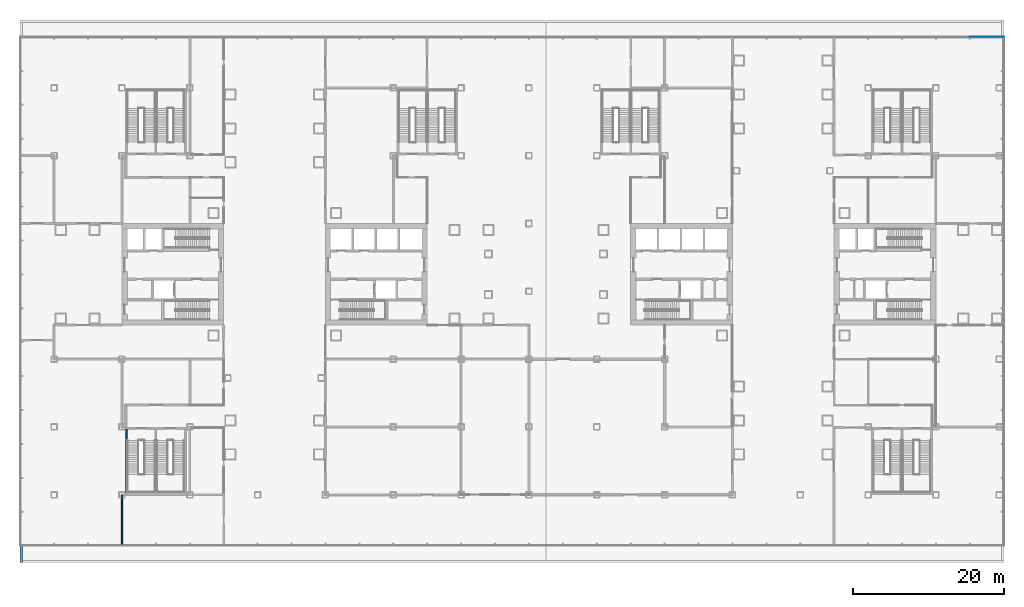
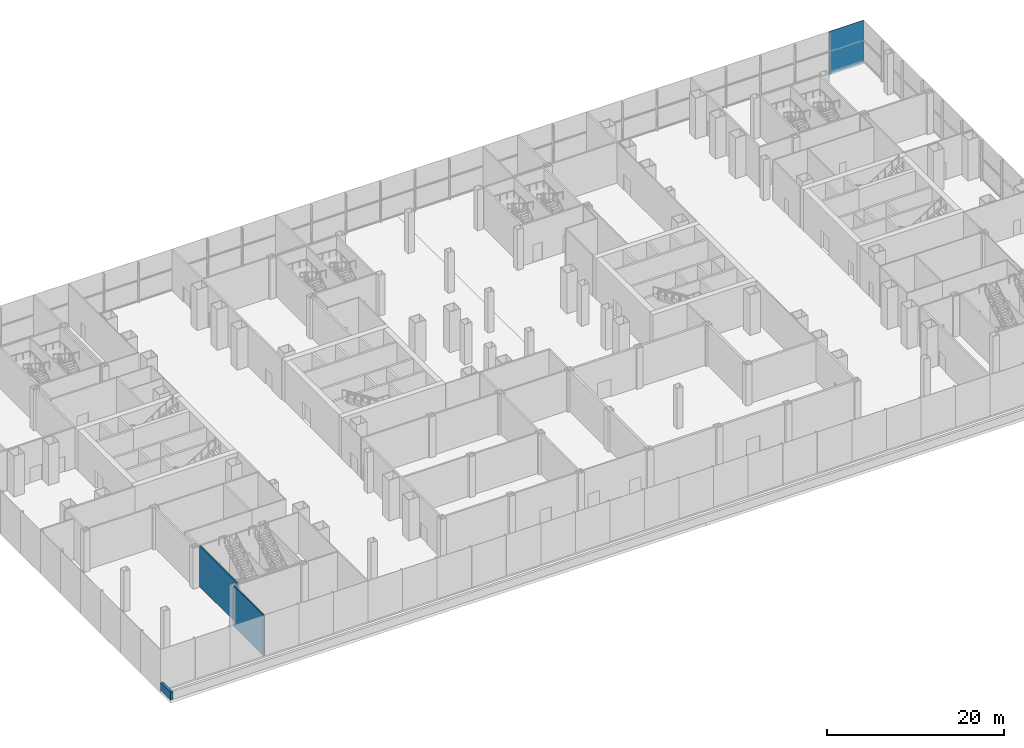
# One storey, part 21 of 38: 3 walls, 1 plate, 1 element without a shape of its own.
"""IFC4 building model written with IfcOpenShell, lengths in metres."""

from ifc_helpers import new_model, si_unit, direction, frame, frame_2d, origin, origin_2d, place, context, subcontext, project, spatial, rectangle, extrude, material, layer, layer_set, type_object, element, aggregate, save


model = new_model("IFC4")

# Units and contexts
model_context = context("Model", 3, precision=1e-05, world=origin(), true_north=direction((0.0, 1.0)))
body_context = subcontext(model_context, "Body", "Model", "MODEL_VIEW")
ifc_project = project(units=[si_unit("LENGTHUNIT", "METRE"), si_unit("AREAUNIT", "SQUARE_METRE"), si_unit("VOLUMEUNIT", "CUBIC_METRE"), si_unit("PLANEANGLEUNIT", "RADIAN"), si_unit("MASSUNIT", "GRAM", prefix="KILO")], contexts=[model_context])

# Site, building, storey
site_placement = place(None, origin())
site = spatial("IfcSite", under=ifc_project, at=site_placement, CompositionType="ELEMENT")
building_placement = place(site_placement, origin())
building = spatial("IfcBuilding", under=site, at=building_placement, Name="Shamsa Quay Exchange Towers", CompositionType="ELEMENT")
storey_placement = place(building_placement, frame((0.0, 0.0, 12.5)))
storey = spatial("IfcBuildingStorey", under=building, at=storey_placement, Name="L02", CompositionType="ELEMENT", Elevation=12.5)

# Curtain wall, plate
ifc_material_1 = material(Name="Aluminium EN AW-6063 T6, black anodised", Category="aluminium")
ifc_layer_1 = layer(ifc_material_1, 0.33203125)
ifc_layer_set_1 = layer_set([ifc_layer_1], Name="CW-3 PODIUM SHOPFRONT GLAZING")
curtain_wall_type = type_object("IfcCurtainWallType", Name="CW-3 PODIUM SHOPFRONT GLAZING", PredefinedType="NOTDEFINED", material=ifc_layer_set_1)
curtain_wall_placement = place(storey_placement, origin())
curtain_wall = element("IfcCurtainWall", 1, at=curtain_wall_placement, inside=storey, type_object=curtain_wall_type, Name="CW3 PODIUM-L02-F01", PredefinedType="NOTDEFINED")
ifc_material_2 = material(Name="Glass, laminated, impact rated, clear low iron", Category="glass")
ifc_layer_2 = layer(ifc_material_2, 0.031982421875)
ifc_layer_set_2 = layer_set([ifc_layer_2], Name="CW-3 SHOPFRONT GLASS 32")
plate_type = type_object("IfcPlateType", Name="CW-3 SHOPFRONT GLASS 32", PredefinedType="CURTAIN_PANEL", material=ifc_layer_set_2)
plate_placement = place(storey_placement, frame((60.75244140625, 31.51611328125, -0.35009765625), z_axis=(0.0, 0.0, 1.0), x_axis=(-1.0, 0.0, 0.0)))
plate = element("IfcPlate", 2, at=plate_placement, type_object=plate_type, Name="CW3 glass panel", PredefinedType="CURTAIN_PANEL", context=body_context, shape_type="SweptSolid", body=[
    extrude(rectangle(XDim=4.4951171875, YDim=0.031982421875, at=origin_2d()), origin(), (0.0, 0.0, 1.0), 6.0),
])
aggregate(curtain_wall, [plate])

# Walls
ifc_material_3 = material(Name="Gypsum board partition on metal studs")
ifc_layer_3 = layer(ifc_material_3, 0.14990234375)
ifc_layer_set_3 = layer_set([ifc_layer_3], Name="Partition 150 mm EI 60")
wall_type_1 = type_object("IfcWallType", Name="Partition 150 mm EI 60", PredefinedType="PARTITIONING", material=ifc_layer_set_3)
wall_1_placement = place(storey_placement, frame((-54.0, -35.905029296875, 0.0), z_axis=(0.0, 0.0, 1.0), x_axis=(0.0, 1.0, 0.0)))
element("IfcWall", 3, at=wall_1_placement, inside=storey, type_object=wall_type_1, Name="Partition PD-L02-W63", PredefinedType="PARTITIONING", context=body_context, shape_type="SweptSolid", body=[
    extrude(rectangle(XDim=6.580078125, YDim=0.14990234375, at=frame_2d((3.2900390625, 0.0))), origin(), (0.0, 0.0, 1.0), 5.60009765625),
])
ifc_material_4 = material(Name="Reinforced concrete C30/37", Category="concrete")
ifc_layer_4 = layer(ifc_material_4, 0.300048828125)
ifc_layer_set_4 = layer_set([ifc_layer_4], Name="ROOF PARAPET 300 C30/37")
wall_type_2 = type_object("IfcWallType", Name="ROOF PARAPET 300 C30/37", PredefinedType="PARAPET", material=ifc_layer_set_4)
wall_2_placement = place(storey_placement, frame((-67.35009765625, -36.0, 0.0), z_axis=(0.0, 0.0, 1.0), x_axis=(0.0, -1.0, 0.0)))
element("IfcWall", 4, at=wall_2_placement, inside=storey, type_object=wall_type_2, Name="Parapet L01 1", PredefinedType="PARAPET", context=body_context, shape_type="SweptSolid", body=[
    extrude(rectangle(XDim=2.25, YDim=0.300048828125, at=frame_2d((1.125, 0.0))), origin(), (0.0, 0.0, 1.0), 1.10009765625),
])
ifc_material_5 = material(Name="Concrete C50/60", Category="concrete")
ifc_layer_5 = layer(ifc_material_5, 0.199951171875)
ifc_layer_set_5 = layer_set([ifc_layer_5], Name="STAIR ENCLOSURE WALL 200 C50/60")
wall_type_3 = type_object("IfcWallType", Name="STAIR ENCLOSURE WALL 200 C50/60", PredefinedType="SHEAR", material=ifc_layer_set_5)
wall_3_placement = place(storey_placement, frame((-53.39990234375, -28.949951171875, 0.0), z_axis=(0.0, 0.0, 1.0), x_axis=(0.0, 1.0, 0.0)))
element("IfcWall", 5, at=wall_3_placement, inside=storey, type_object=wall_type_3, Name="Stair enclosure wall PS5 west", PredefinedType="SHEAR", context=body_context, shape_type="SweptSolid", body=[
    extrude(rectangle(XDim=8.39990234375, YDim=0.199951171875, at=frame_2d((4.199951171875, 0.0))), origin(), (0.0, 0.0, 1.0), 5.60009765625),
])

save(model, "model.ifc")
